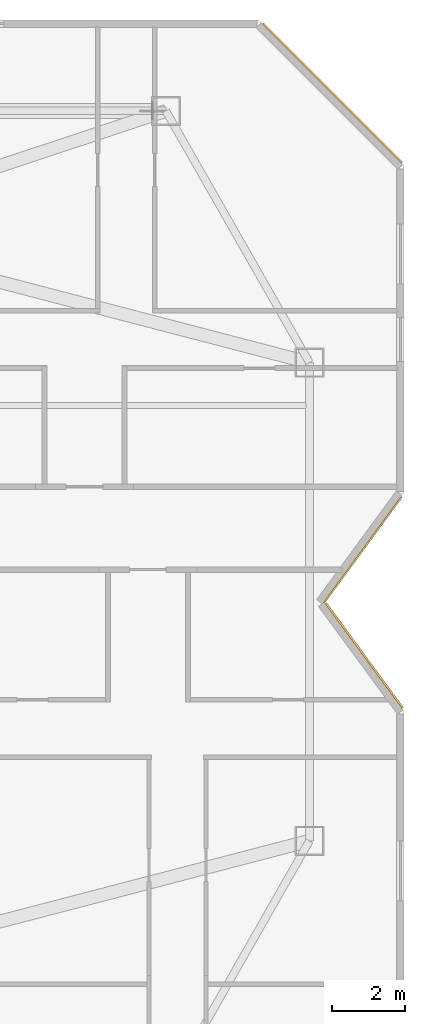
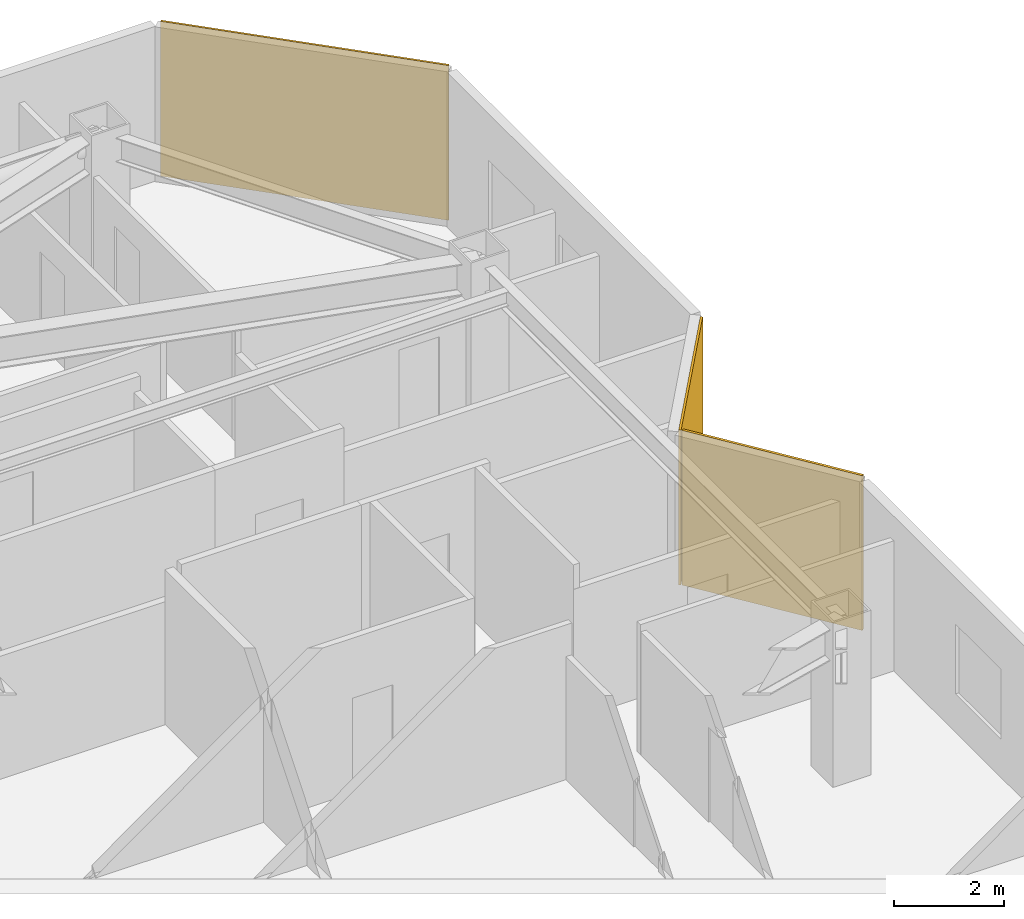
# One storey, part 14 of 14: 3 coverings.
"""IFC4 building model written with IfcOpenShell, lengths in metres."""

import ifcopenshell
import ifcopenshell.guid

model = None  # the IFC model being written
_history = None  # IfcOwnerHistory: only IFC2X3 demands one
_inside = {}  # id of a spatial element -> (the spatial element, [elements in it])
_under = {}  # id of a project, library or spatial element -> (it, [spatial elements below it])
_declared = {}  # id of a project -> (the project, [libraries it declares])
_typed = {}  # id of a type object -> (the type object, [elements of that type])
_made_of = {}  # id of a material, layer set ... -> (it, [elements and type objects made of it])


def new_model(schema):
    """Start an empty IFC model of exactly this schema.

    Asked for "IFC4X3", IfcOpenShell would pick the latest addendum, in which some entities
    have other attributes; the version numbers below select the first issue.
    IFC2X3 requires an IfcOwnerHistory on every rooted entity: one is made here for all.
    """
    global model, _history
    if schema == "IFC4X3":
        model = ifcopenshell.file(schema_version=(4, 3, 0, 0))
    else:
        model = ifcopenshell.file(schema=schema)
    _inside.clear()
    _under.clear()
    _declared.clear()
    _typed.clear()
    _made_of.clear()
    _history = None
    if model.schema == "IFC2X3":
        org = make("IfcOrganization", Name="unknown")
        user = make(
            "IfcPersonAndOrganization",
            ThePerson=make("IfcPerson", FamilyName="unknown"),
            TheOrganization=org,
        )
        app = make(
            "IfcApplication",
            ApplicationDeveloper=org,
            Version="unknown",
            ApplicationFullName="unknown",
            ApplicationIdentifier="unknown",
        )
        _history = make(
            "IfcOwnerHistory",
            OwningUser=user,
            OwningApplication=app,
            ChangeAction="ADDED",
            CreationDate=0,
        )
    return model


def make(cls, **values):
    """One entity of the class cls with the attributes given. An attribute that is None is left unset."""
    return model.create_entity(
        cls, **{name: value for name, value in values.items() if value is not None}
    )


def rooted(cls, **values):
    """An entity with a GlobalId (a new one), such as an element, a storey or a relation."""
    return make(cls, GlobalId=ifcopenshell.guid.new(), OwnerHistory=_history, **values)


def si_unit(unit_type, name, prefix=None):
    """IfcSIUnit, for example si_unit("LENGTHUNIT", "METRE", prefix="MILLI")."""
    return make("IfcSIUnit", UnitType=unit_type, Prefix=prefix, Name=name)


def assignment(units):
    """IfcUnitAssignment: the units of a project."""
    return None if units is None else make("IfcUnitAssignment", Units=units)


def point(xyz):
    """IfcCartesianPoint."""
    return None if xyz is None else make("IfcCartesianPoint", Coordinates=xyz)


def direction(xyz):
    """IfcDirection."""
    return None if xyz is None else make("IfcDirection", DirectionRatios=xyz)


def frame(location, z_axis=None, x_axis=None):
    """IfcAxis2Placement3D, a coordinate frame: its origin and axes. An axis left out is left unset."""
    return make(
        "IfcAxis2Placement3D",
        Location=point(location),
        Axis=direction(z_axis),
        RefDirection=direction(x_axis),
    )


def frame_2d(location, x_axis=None):
    """IfcAxis2Placement2D, a coordinate frame in the plane: its origin and x axis."""
    return make(
        "IfcAxis2Placement2D", Location=point(location), RefDirection=direction(x_axis)
    )


def origin():
    """The frame at (0, 0, 0) with its axes left unset."""
    return frame((0.0, 0.0, 0.0))


def origin_2d():
    """The frame at (0, 0) in the plane with its x axis left unset."""
    return frame_2d((0.0, 0.0))


def place(relative_to, where):
    """IfcLocalPlacement: puts the frame where relative to a parent placement (None: the world)."""
    return make(
        "IfcLocalPlacement", PlacementRelTo=relative_to, RelativePlacement=where
    )


def context(
    kind, dimensions, precision=None, world=None, true_north=None, identifier=None
):
    """IfcGeometricRepresentationContext, for example the 3D "Model" context."""
    return make(
        "IfcGeometricRepresentationContext",
        ContextIdentifier=identifier,
        ContextType=kind,
        CoordinateSpaceDimension=dimensions,
        Precision=precision,
        WorldCoordinateSystem=world,
        TrueNorth=true_north,
    )


def subcontext(parent, identifier, kind, view, scale=None):
    """IfcGeometricRepresentationSubContext, for example "Body" below "Model"."""
    return make(
        "IfcGeometricRepresentationSubContext",
        ContextIdentifier=identifier,
        ContextType=kind,
        ParentContext=parent,
        TargetScale=scale,
        TargetView=view,
    )


def project(units=None, contexts=None):
    """IfcProject with its units and contexts."""
    return rooted(
        "IfcProject",
        Name="project",
        RepresentationContexts=contexts,
        UnitsInContext=assignment(units),
    )


def spatial(cls, under=None, at=None, **own):
    """A site, building, storey or space (cls), placed at a placement, below another one or the project."""
    s = rooted(cls, ObjectPlacement=at, **own)
    if under is not None:
        _under.setdefault(under.id(), (under, []))[1].append(s)
    return s


def profile(cls, at=None, kind="AREA", **sizes):
    """A parametric profile (cls). Its sizes go by their IFC names, for example OverallWidth=200.0."""
    return make(cls, ProfileType=kind, Position=at, **sizes)


def rectangle(**sizes):
    """IfcRectangleProfileDef."""
    return profile("IfcRectangleProfileDef", **sizes)


def extrude(swept, where, along, depth):
    """IfcExtrudedAreaSolid: the profile swept, set in the frame where, extruded along a direction by depth."""
    return make(
        "IfcExtrudedAreaSolid",
        SweptArea=swept,
        Position=where,
        ExtrudedDirection=direction(along),
        Depth=depth,
    )


def shape(context_of_items, identifier, shape_type, items):
    """IfcShapeRepresentation: the items that make up one representation, for example the "Body"."""
    return make(
        "IfcShapeRepresentation",
        ContextOfItems=context_of_items,
        RepresentationIdentifier=identifier,
        RepresentationType=shape_type,
        Items=items,
    )


def material(Name=None, Category=None):
    """IfcMaterial."""
    return make("IfcMaterial", Name=Name, Category=Category)


def layer(
    of_material, thickness, ventilated=None, Name=None, Category=None, Priority=None
):
    """IfcMaterialLayer: one layer of a wall or slab, of a material (None: an air gap)."""
    return make(
        "IfcMaterialLayer",
        Material=of_material,
        LayerThickness=thickness,
        IsVentilated=ventilated,
        Name=Name,
        Category=Category,
        Priority=Priority,
    )


def layer_set(layers, Name=None):
    """IfcMaterialLayerSet."""
    return make("IfcMaterialLayerSet", MaterialLayers=layers, LayerSetName=Name)


def made_of(thing, what):
    """Note that an element or type object is made of a material, layer set ...; save() writes the relation."""
    if what is not None:
        _made_of.setdefault(what.id(), (what, []))[1].append(thing)
    return thing


def type_object(cls, material=None, **own):
    """A type object (cls), such as IfcWallType, which elements share."""
    return made_of(rooted(cls, **own), material)


def element(
    cls,
    number,
    at=None,
    inside=None,
    cuts=None,
    type_object=None,
    material=None,
    context=None,
    identifier="Body",
    shape_type=None,
    held_by="IfcProductDefinitionShape",
    body=None,
    shapes=None,
    **own,
):
    """One element of the class cls, such as IfcWall. Its Tag is "e" and its number.

    at: its placement. inside: the storey or other place that contains it. cuts: it is an
    opening in that element (IfcRelVoidsElement). A single representation is given by context,
    identifier, shape_type and body (its items); several are given by shapes. held_by: the class
    of the entity that holds the representations. save() writes the other relations.
    """
    e = rooted(cls, Tag="e%d" % number, ObjectPlacement=at, **own)
    if body is not None:
        shapes = [shape(context, identifier, shape_type, body)]
    if shapes is not None:
        e.Representation = make(held_by, Representations=shapes)
    if inside is not None:
        _inside.setdefault(inside.id(), (inside, []))[1].append(e)
    if cuts is not None:
        rooted(
            "IfcRelVoidsElement", RelatingBuildingElement=cuts, RelatedOpeningElement=e
        )
    if type_object is not None:
        _typed.setdefault(type_object.id(), (type_object, []))[1].append(e)
    return made_of(e, material)


def aggregate(whole, parts):
    """IfcRelAggregates: a whole, such as a stair, and the parts it consists of."""
    return rooted("IfcRelAggregates", RelatingObject=whole, RelatedObjects=parts)


def save(model, path):
    """Write the relations noted so far, then the file.

    IfcRelAggregates (storeys below a building ...), IfcRelContainedInSpatialStructure (elements
    in a storey), IfcRelDefinesByType, IfcRelAssociatesMaterial and IfcRelDeclares: one each for
    every whole, place, type object, material and project.
    """
    for whole, parts in _under.values():
        aggregate(whole, parts)
    for where, things in _inside.values():
        rooted(
            "IfcRelContainedInSpatialStructure",
            RelatedElements=things,
            RelatingStructure=where,
        )
    for kind, things in _typed.values():
        rooted("IfcRelDefinesByType", RelatedObjects=things, RelatingType=kind)
    for what, things in _made_of.values():
        rooted("IfcRelAssociatesMaterial", RelatedObjects=things, RelatingMaterial=what)
    for by, libraries in _declared.values():
        rooted("IfcRelDeclares", RelatingContext=by, RelatedDefinitions=libraries)
    model.write(path)


model = new_model("IFC4")

# Units and contexts
model_context = context("Model", 3, precision=1e-05, world=origin(), true_north=direction((0.0, 1.0)))
body_context = subcontext(model_context, "Body", "Model", "MODEL_VIEW")
ifc_project = project(units=[si_unit("LENGTHUNIT", "METRE"), si_unit("AREAUNIT", "SQUARE_METRE"), si_unit("VOLUMEUNIT", "CUBIC_METRE"), si_unit("PLANEANGLEUNIT", "RADIAN"), si_unit("MASSUNIT", "GRAM", prefix="KILO")], contexts=[model_context])

# Site, building, storey
site_placement = place(None, origin())
site = spatial("IfcSite", under=ifc_project, at=site_placement, CompositionType="ELEMENT")
building_placement = place(site_placement, origin())
building = spatial("IfcBuilding", under=site, at=building_placement, Name="Khamvora Tower", CompositionType="ELEMENT")
storey_placement = place(building_placement, frame((0.0, 0.0, 242.75)))
storey = spatial("IfcBuildingStorey", under=building, at=storey_placement, Name="L62", CompositionType="ELEMENT", Elevation=242.75)

# Coverings
ifc_material_1 = material(Name="Pale Anodised Aluminium Rainscreen Panel", Category="aluminium")
ifc_layer_1 = layer(ifc_material_1, 0.044921875)
ifc_layer_set_1 = layer_set([ifc_layer_1], Name="Pale Anodised Aluminium Rainscreen Panel")
covering_type_1 = type_object("IfcCoveringType", Name="COV-CLD-ALU", PredefinedType="CLADDING", material=ifc_layer_set_1)
covering_1_placement = place(storey_placement, frame((67.833984375, 41.990966796875, 0.0), z_axis=(0.0, 0.0, 1.0), x_axis=(0.707106781187, -0.707106781187, 0.0)))
element("IfcCovering", 1, at=covering_1_placement, inside=storey, type_object=covering_type_1, Name="L62 chamfer rainscreen cladding 08.1", PredefinedType="CLADDING", context=body_context, shape_type="SweptSolid", body=[
    extrude(rectangle(XDim=5.4130859375, YDim=0.044921875, at=origin_2d()), origin(), (0.0, 0.0, 1.0), 3.429931640625),
])
covering_2_placement = place(storey_placement, frame((68.66796875, 29.426025390625, 0.0), z_axis=(0.0, 0.0, 1.0), x_axis=(-0.591340294061, -0.806422133017, 0.0)))
element("IfcCovering", 2, at=covering_2_placement, inside=storey, type_object=covering_type_1, Name="L62 chamfer rainscreen cladding 10.1", PredefinedType="CLADDING", context=body_context, shape_type="SweptSolid", body=[
    extrude(rectangle(XDim=3.610107421875, YDim=0.044921875, at=origin_2d()), origin(), (0.0, 0.0, 1.0), 3.429931640625),
])
ifc_material_2 = material(Name="Anodised Bronze Aluminium Spandrel Panel", Category="aluminium")
ifc_layer_2 = layer(ifc_material_2, 0.054931640625)
ifc_layer_set_2 = layer_set([ifc_layer_2], Name="Anodised Bronze Aluminium Spandrel Panel")
covering_type_2 = type_object("IfcCoveringType", Name="COV-CLD-BRZ", PredefinedType="CLADDING", material=ifc_layer_set_2)
covering_3_placement = place(storey_placement, frame((68.708984375, 26.51904296875, 0.0), z_axis=(0.0, 0.0, 1.0), x_axis=(0.591257495158, -0.806482841987, 0.0)))
element("IfcCovering", 3, at=covering_3_placement, inside=storey, type_object=covering_type_2, Name="L62 chamfer rainscreen cladding 11.1", PredefinedType="CLADDING", context=body_context, shape_type="SweptSolid", body=[
    extrude(rectangle(XDim=3.574951171875, YDim=0.054931640625, at=origin_2d()), origin(), (0.0, 0.0, 1.0), 3.429931640625),
])

save(model, "model.ifc")
